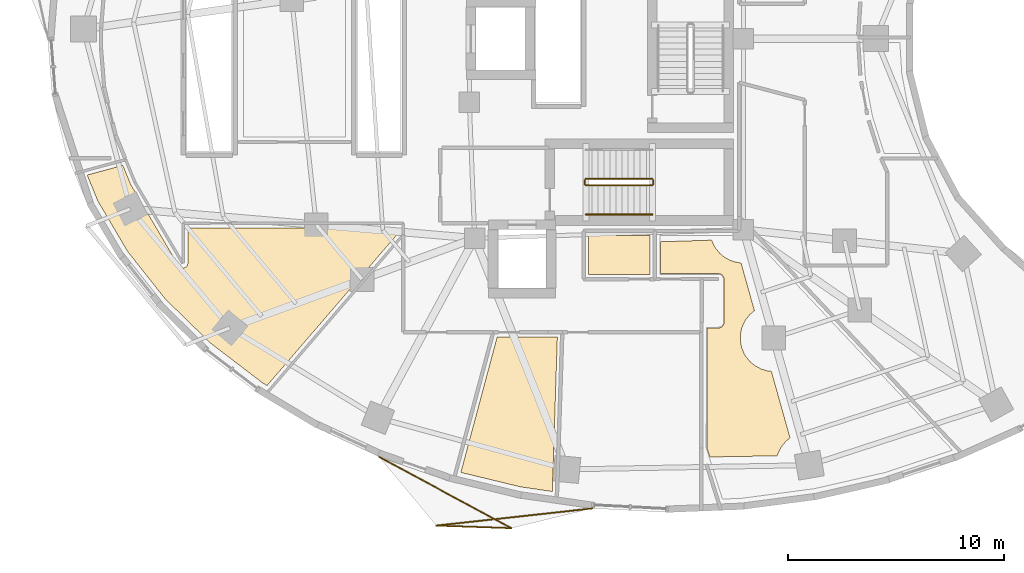
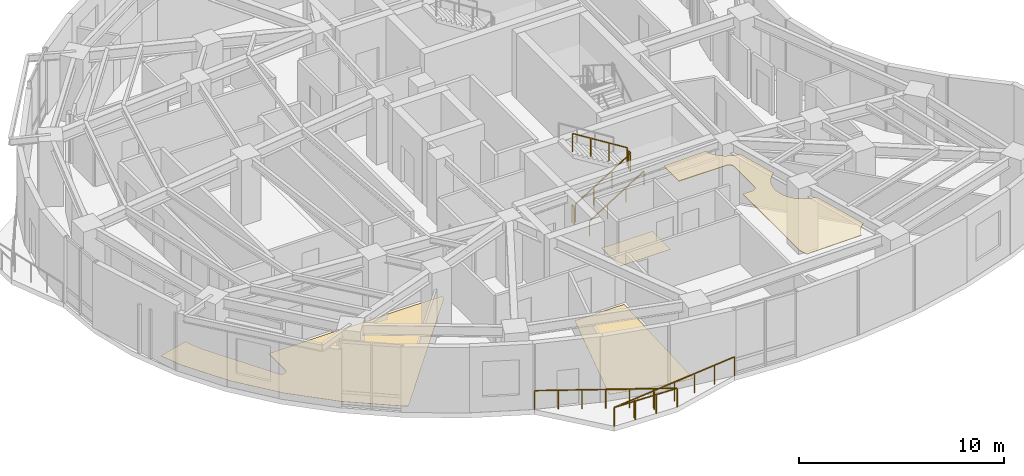
# One storey, part 13 of 15: 6 railings, 4 coverings.
"""IFC4 building model written with IfcOpenShell, lengths in metres."""

from ifc_helpers import new_model, si_unit, direction, frame, origin, origin_2d, place, context, subcontext, project, spatial, polyline, rectangle, outline, extrude, material, layer, layer_set, type_object, element, save


model = new_model("IFC4")

# Units and contexts
model_context = context("Model", 3, precision=1e-05, world=origin(), true_north=direction((0.0, 1.0)))
body_context = subcontext(model_context, "Body", "Model", "MODEL_VIEW")
ifc_project = project(units=[si_unit("LENGTHUNIT", "METRE"), si_unit("AREAUNIT", "SQUARE_METRE"), si_unit("VOLUMEUNIT", "CUBIC_METRE"), si_unit("PLANEANGLEUNIT", "RADIAN"), si_unit("MASSUNIT", "GRAM", prefix="KILO")], contexts=[model_context])

# Site, building, storey
site_placement = place(None, origin())
site = spatial("IfcSite", under=ifc_project, at=site_placement, CompositionType="ELEMENT")
building_placement = place(site_placement, origin())
building = spatial("IfcBuilding", under=site, at=building_placement, Name="Korentha Bioscience Tower", CompositionType="ELEMENT")
storey_placement = place(building_placement, frame((0.0, 0.0, 111.0)))
storey = spatial("IfcBuildingStorey", under=building, at=storey_placement, Name="L25", CompositionType="ELEMENT", Elevation=111.0)

# Railings
ifc_material_1 = material(Name="Stainless Steel 304", Category="steel")
railing_type_1 = type_object("IfcRailingType", Name="Brushed Stainless Stair Handrail 900", PredefinedType="HANDRAIL", material=ifc_material_1)
railing_1_placement = place(storey_placement, frame((30.25, 18.85009765625, 0.175048828125)))
element("IfcRailing", 1, at=railing_1_placement, inside=storey, type_object=railing_type_1, Name="L25 ST-2 stair handrail 1", PredefinedType="HANDRAIL", context=body_context, shape_type="SweptSolid", body=[
    extrude(rectangle(XDim=0.048095703125, YDim=0.048095703125, at=origin_2d()), frame((0.0, 0.0, 0.8759765625), z_axis=(0.847998304005, 0.0, 0.529998940003), x_axis=(0.0, 1.0, 0.0)), (0.0, 0.0, 1.0), 3.632080078125),
    extrude(rectangle(XDim=0.0419921875, YDim=0.0419921875, at=origin_2d()), origin(), (0.0, 0.0, 1.0), 0.851806640625),
    extrude(rectangle(XDim=0.0419921875, YDim=0.0419921875, at=origin_2d()), frame((1.026611328125, 0.0, 0.6416015625)), (0.0, 0.0, 1.0), 0.851806640625),
    extrude(rectangle(XDim=0.0419921875, YDim=0.0419921875, at=origin_2d()), frame((2.053466796875, 0.0, 1.283447265625)), (0.0, 0.0, 1.0), 0.851806640625),
    extrude(rectangle(XDim=0.0419921875, YDim=0.0419921875, at=origin_2d()), frame((3.080078125, 0.0, 1.925048828125)), (0.0, 0.0, 1.0), 0.851806640625),
])
ifc_material_2 = material(Name="Laminated Tempered Safety Glass", Category="glass")
railing_type_2 = type_object("IfcRailingType", Name="Laminated Glass Balcony Guardrail 1150", PredefinedType="BALUSTRADE", material=ifc_material_2)
railing_2_placement = place(storey_placement, frame((20.66650390625, 7.62109375, 0.0)))
element("IfcRailing", 2, at=railing_2_placement, inside=storey, type_object=railing_type_2, Name="L25 Balcony Guardrail 03", PredefinedType="BALUSTRADE", context=body_context, shape_type="SweptSolid", body=[
    extrude(rectangle(XDim=0.048095703125, YDim=0.048095703125, at=origin_2d()), frame((0.0, 0.0, 1.1259765625), z_axis=(0.880340587616, -0.474342123151, 0.0), x_axis=(0.474342123151, 0.880340587616, 0.0)), (0.0, 0.0, 1.0), 6.969482421875),
    extrude(rectangle(XDim=0.048095703125, YDim=0.048095703125, at=origin_2d()), frame((6.135498046875, -3.305908203125, 1.1259765625), z_axis=(-0.999404081372, 0.034517852442, 0.0), x_axis=(-0.034517852442, -0.999404081372, 0.0)), (0.0, 0.0, 1.0), 3.479736328125),
    extrude(rectangle(XDim=0.048095703125, YDim=0.048095703125, at=origin_2d()), frame((2.65771484375, -3.185791015625, 1.1259765625), z_axis=(0.993998557505, 0.109393179306, 0.0), x_axis=(-0.109393179306, 0.993998557505, 0.0)), (0.0, 0.0, 1.0), 7.27783203125),
    extrude(rectangle(XDim=0.0419921875, YDim=0.0419921875, at=origin_2d()), origin(), (0.0, 0.0, 1.0), 1.101806640625),
    extrude(rectangle(XDim=0.0419921875, YDim=0.0419921875, at=origin_2d()), frame((1.0224609375, -0.551025390625, 0.0)), (0.0, 0.0, 1.0), 1.101806640625),
    extrude(rectangle(XDim=0.0419921875, YDim=0.0419921875, at=origin_2d()), frame((2.045166015625, -1.10205078125, 0.0)), (0.0, 0.0, 1.0), 1.101806640625),
    extrude(rectangle(XDim=0.0419921875, YDim=0.0419921875, at=origin_2d()), frame((3.06787109375, -1.65283203125, 0.0)), (0.0, 0.0, 1.0), 1.101806640625),
    extrude(rectangle(XDim=0.0419921875, YDim=0.0419921875, at=origin_2d()), frame((4.09033203125, -2.203857421875, 0.0)), (0.0, 0.0, 1.0), 1.101806640625),
    extrude(rectangle(XDim=0.0419921875, YDim=0.0419921875, at=origin_2d()), frame((5.11279296875, -2.7548828125, 0.0)), (0.0, 0.0, 1.0), 1.101806640625),
    extrude(rectangle(XDim=0.0419921875, YDim=0.0419921875, at=origin_2d()), frame((6.135498046875, -3.305908203125, 0.0)), (0.0, 0.0, 1.0), 1.101806640625),
    extrude(rectangle(XDim=0.0419921875, YDim=0.0419921875, at=origin_2d()), frame((4.976318359375, -3.265869140625, 0.0)), (0.0, 0.0, 1.0), 1.101806640625),
    extrude(rectangle(XDim=0.0419921875, YDim=0.0419921875, at=origin_2d()), frame((3.81689453125, -3.225830078125, 0.0)), (0.0, 0.0, 1.0), 1.101806640625),
    extrude(rectangle(XDim=0.0419921875, YDim=0.0419921875, at=origin_2d()), frame((2.65771484375, -3.185791015625, 0.0)), (0.0, 0.0, 1.0), 1.101806640625),
    extrude(rectangle(XDim=0.0419921875, YDim=0.0419921875, at=origin_2d()), frame((3.86328125, -3.05322265625, 0.0)), (0.0, 0.0, 1.0), 1.101806640625),
    extrude(rectangle(XDim=0.0419921875, YDim=0.0419921875, at=origin_2d()), frame((5.069091796875, -2.92041015625, 0.0)), (0.0, 0.0, 1.0), 1.101806640625),
    extrude(rectangle(XDim=0.0419921875, YDim=0.0419921875, at=origin_2d()), frame((6.27490234375, -2.78759765625, 0.0)), (0.0, 0.0, 1.0), 1.101806640625),
    extrude(rectangle(XDim=0.0419921875, YDim=0.0419921875, at=origin_2d()), frame((7.48046875, -2.655029296875, 0.0)), (0.0, 0.0, 1.0), 1.101806640625),
    extrude(rectangle(XDim=0.0419921875, YDim=0.0419921875, at=origin_2d()), frame((8.68603515625, -2.5224609375, 0.0)), (0.0, 0.0, 1.0), 1.101806640625),
    extrude(rectangle(XDim=0.0419921875, YDim=0.0419921875, at=origin_2d()), frame((9.891845703125, -2.3896484375, 0.0)), (0.0, 0.0, 1.0), 1.101806640625),
])

# Covering
ifc_material_3 = material(Name="Antimicrobial Mineral Fibre Board", Category="gypsum")
ifc_layer_1 = layer(ifc_material_3, 0.034912109375, Name="Antimicrobial Mineral Fibre Board")
ifc_layer_set_1 = layer_set([ifc_layer_1], Name="Antimicrobial Mineral Fibre Board (CL-MF35)")
covering_type_1 = type_object("IfcCoveringType", Name="Mineral-Fibre Cleanroom Suspended Ceiling 35", PredefinedType="CEILING", material=ifc_layer_set_1)
covering_1_placement = place(storey_placement, frame((0.0, 0.0, 3.864990234375)))
element("IfcCovering", 3, at=covering_1_placement, inside=storey, type_object=covering_type_1, Name="L25 Automated High-Throughput Assay Lab 05 Acoustic Ceiling", PredefinedType="CEILING", context=body_context, shape_type="SweptSolid", body=[
    extrude(outline(polyline([(35.85791015625, 8.047607421875), (35.860107421875, 13.590087890625), (36.462646484375, 13.59765625), (36.574951171875, 13.65771484375), (36.652099609375, 13.786376953125), (36.659912109375, 15.85009765625), (36.634765625, 15.961669921875), (36.5341796875, 16.07275390625), (36.4130859375, 16.109619140625), (33.7099609375, 16.110107421875), (33.7099609375, 17.58642578125), (36.080078125, 17.66259765625), (36.18310546875, 17.419189453125), (36.26123046875, 17.288818359375), (36.4541015625, 17.053955078125), (36.566650390625, 16.951904296875), (36.68896484375, 16.861083984375), (36.956787109375, 16.718017578125), (37.24755859375, 16.6298828125), (37.4423828125, 16.605224609375), (38.06103515625, 14.393798828125), (37.85888671875, 14.22509765625), (37.666015625, 13.990234375), (37.52294921875, 13.722412109375), (37.4716796875, 13.5791015625), (37.412353515625, 13.281005859375), (37.40478515625, 13.129150390625), (37.412353515625, 12.977294921875), (37.4716796875, 12.67919921875), (37.587890625, 12.3984375), (37.666015625, 12.26806640625), (37.85888671875, 12.033203125), (37.9716796875, 11.930908203125), (38.09375, 11.84033203125), (38.36181640625, 11.697265625), (38.652587890625, 11.60888671875), (38.84716796875, 11.58447265625), (39.71044921875, 8.499755859375), (39.50830078125, 8.331298828125), (39.3154296875, 8.09619140625), (39.172119140625, 7.828369140625), (39.11669921875, 7.66845703125), (35.994873046875, 7.614501953125), (35.85791015625, 8.047607421875)])), origin(), (0.0, 0.0, 1.0), 0.034912109375),
])

# Railings
ifc_material_4 = material(Name="Painted Steel S275", Category="steel")
railing_type_3 = type_object("IfcRailingType", Name="Painted Steel Stair Well Guardrail 1100", PredefinedType="GUARDRAIL", material=ifc_material_4)
railing_3_placement = place(storey_placement, frame((30.25, 20.199951171875, 0.175048828125)))
element("IfcRailing", 4, at=railing_3_placement, inside=storey, type_object=railing_type_3, Name="L25 ST-2 stair guard 1", PredefinedType="GUARDRAIL", context=body_context, shape_type="SweptSolid", body=[
    extrude(rectangle(XDim=0.048095703125, YDim=0.048095703125, at=origin_2d()), frame((0.0, 0.0, 1.076171875), z_axis=(0.847998304005, 0.0, 0.529998940003), x_axis=(0.0, 1.0, 0.0)), (0.0, 0.0, 1.0), 3.632080078125),
    extrude(rectangle(XDim=0.0419921875, YDim=0.0419921875, at=origin_2d()), origin(), (0.0, 0.0, 1.0), 1.052001953125),
    extrude(rectangle(XDim=0.0419921875, YDim=0.0419921875, at=origin_2d()), frame((1.026611328125, 0.0, 0.6416015625)), (0.0, 0.0, 1.0), 1.052001953125),
    extrude(rectangle(XDim=0.0419921875, YDim=0.0419921875, at=origin_2d()), frame((2.053466796875, 0.0, 1.283447265625)), (0.0, 0.0, 1.0), 1.052001953125),
    extrude(rectangle(XDim=0.0419921875, YDim=0.0419921875, at=origin_2d()), frame((3.080078125, 0.0, 1.925048828125)), (0.0, 0.0, 1.0), 1.052001953125),
])
railing_4_placement = place(storey_placement, frame((33.3798828125, 20.25, 2.10009765625)))
element("IfcRailing", 5, at=railing_4_placement, inside=storey, type_object=railing_type_3, Name="L25 ST-2 stair guard 2", PredefinedType="GUARDRAIL", context=body_context, shape_type="SweptSolid", body=[
    extrude(rectangle(XDim=0.048095703125, YDim=0.048095703125, at=origin_2d()), frame((0.0, 0.0, 1.076171875), z_axis=(0.0, 1.0, 0.0), x_axis=(-1.0, 0.0, 0.0)), (0.0, 0.0, 1.0), 0.199951171875),
    extrude(rectangle(XDim=0.0419921875, YDim=0.0419921875, at=origin_2d()), origin(), (0.0, 0.0, 1.0), 1.052001953125),
    extrude(rectangle(XDim=0.0419921875, YDim=0.0419921875, at=origin_2d()), frame((0.0, 0.199951171875, 0.0)), (0.0, 0.0, 1.0), 1.052001953125),
])
railing_5_placement = place(storey_placement, frame((33.330078125, 20.5, 2.27490234375)))
element("IfcRailing", 6, at=railing_5_placement, inside=storey, type_object=railing_type_3, Name="L25 ST-2 stair guard 3", PredefinedType="GUARDRAIL", context=body_context, shape_type="SweptSolid", body=[
    extrude(rectangle(XDim=0.048095703125, YDim=0.048095703125, at=origin_2d()), frame((0.0, 0.0, 1.076171875), z_axis=(-0.847998304005, 0.0, 0.529998940003), x_axis=(0.0, -1.0, 0.0)), (0.0, 0.0, 1.0), 3.632080078125),
    extrude(rectangle(XDim=0.0419921875, YDim=0.0419921875, at=origin_2d()), origin(), (0.0, 0.0, 1.0), 1.052001953125),
    extrude(rectangle(XDim=0.0419921875, YDim=0.0419921875, at=origin_2d()), frame((-1.026611328125, 0.0, 0.6416015625)), (0.0, 0.0, 1.0), 1.052001953125),
    extrude(rectangle(XDim=0.0419921875, YDim=0.0419921875, at=origin_2d()), frame((-2.053466796875, 0.0, 1.283447265625)), (0.0, 0.0, 1.0), 1.052001953125),
    extrude(rectangle(XDim=0.0419921875, YDim=0.0419921875, at=origin_2d()), frame((-3.080078125, 0.0, 1.925048828125)), (0.0, 0.0, 1.0), 1.052001953125),
])
railing_6_placement = place(storey_placement, frame((30.199951171875, 20.25, 0.0)))
element("IfcRailing", 7, at=railing_6_placement, inside=storey, type_object=railing_type_3, Name="L25 ST-2 stair guard 4", PredefinedType="GUARDRAIL", context=body_context, shape_type="SweptSolid", body=[
    extrude(rectangle(XDim=0.048095703125, YDim=0.048095703125, at=origin_2d()), frame((0.0, 0.0, 1.076171875), z_axis=(0.0, 1.0, 0.0), x_axis=(-1.0, 0.0, 0.0)), (0.0, 0.0, 1.0), 0.199951171875),
    extrude(rectangle(XDim=0.0419921875, YDim=0.0419921875, at=origin_2d()), origin(), (0.0, 0.0, 1.0), 1.052001953125),
    extrude(rectangle(XDim=0.0419921875, YDim=0.0419921875, at=origin_2d()), frame((0.0, 0.199951171875, 0.0)), (0.0, 0.0, 1.0), 1.052001953125),
])

# Coverings
ifc_material_5 = material(Name="Chemical-Resistant Epoxy Resin", Category="polymer")
ifc_layer_2 = layer(ifc_material_5, 0.011962890625, Name="Chemical-Resistant Epoxy Resin")
ifc_layer_set_2 = layer_set([ifc_layer_2], Name="Chemical-Resistant Epoxy Resin (FL-EPX)")
covering_type_2 = type_object("IfcCoveringType", Name="Seamless Epoxy Laboratory Flooring 12", PredefinedType="FLOORING", material=ifc_layer_set_2)
covering_2_placement = place(storey_placement, origin())
element("IfcCovering", 8, at=covering_2_placement, inside=storey, type_object=covering_type_2, Name="L25 Core Instrumentation and Gas Store Floor Finish", PredefinedType="FLOORING", context=body_context, shape_type="SweptSolid", body=[
    extrude(outline(polyline([(30.3701171875, 16.080078125), (30.3701171875, 17.8701171875), (33.22998046875, 17.8701171875), (33.22998046875, 16.080078125), (30.3701171875, 16.080078125)])), origin(), (0.0, 0.0, 1.0), 0.011962890625),
])
covering_3_placement = place(storey_placement, origin())
element("IfcCovering", 9, at=covering_3_placement, inside=storey, type_object=covering_type_2, Name="L25 Research Colloquium Seminar Room 01 Floor Finish", PredefinedType="FLOORING", context=body_context, shape_type="SweptSolid", body=[
    extrude(outline(polyline([(10.76708984375, 14.928466796875), (9.01806640625, 17.135986328125), (7.63427734375, 19.481201171875), (7.144775390625, 20.678955078125), (8.798095703125, 21.127197265625), (9.169677734375, 20.224365234375), (11.3818359375, 16.47509765625), (11.44921875, 16.40283203125), (11.531005859375, 16.3671875), (11.619384765625, 16.365478515625), (11.701904296875, 16.39697265625), (11.766357421875, 16.457275390625), (11.8076171875, 16.558349609375), (11.81005859375, 18.219970703125), (21.570068359375, 18.219970703125), (21.570068359375, 18.00048828125), (15.4794921875, 10.923095703125), (15.25927734375, 11.05517578125), (12.85693359375, 12.891357421875), (10.76708984375, 14.928466796875)])), origin(), (0.0, 0.0, 1.0), 0.011962890625),
])
covering_4_placement = place(storey_placement, origin())
element("IfcCovering", 10, at=covering_4_placement, inside=storey, type_object=covering_type_2, Name="L25 Biospecimen Archive Store 03 Floor Finish", PredefinedType="FLOORING", context=body_context, shape_type="SweptSolid", body=[
    extrude(outline(polyline([(26.137451171875, 13.16748046875), (28.93017578125, 13.169921875), (28.694580078125, 6.015869140625), (27.239013671875, 6.22607421875), (24.45751953125, 6.89794921875), (26.137451171875, 13.16748046875)])), origin(), (0.0, 0.0, 1.0), 0.011962890625),
])

save(model, "model.ifc")
